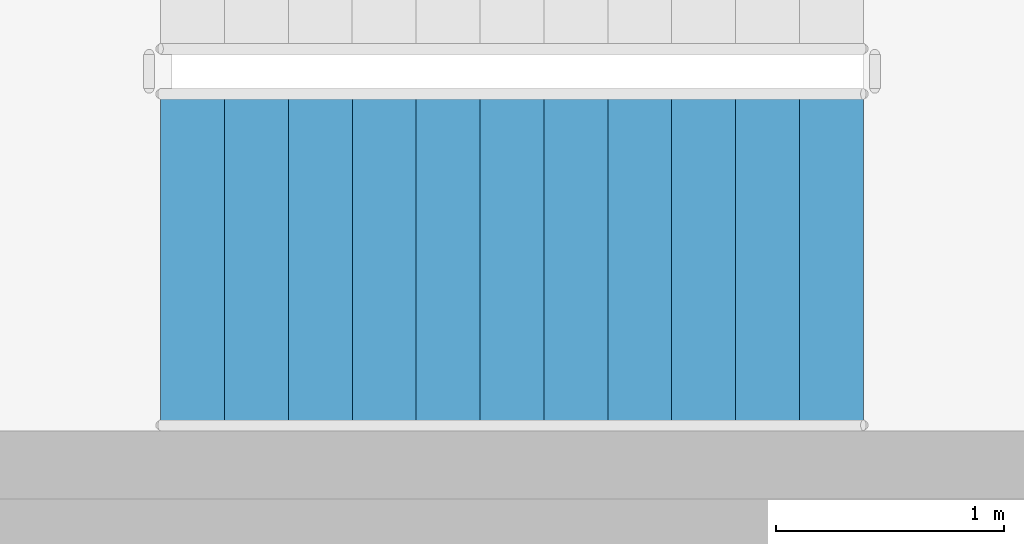
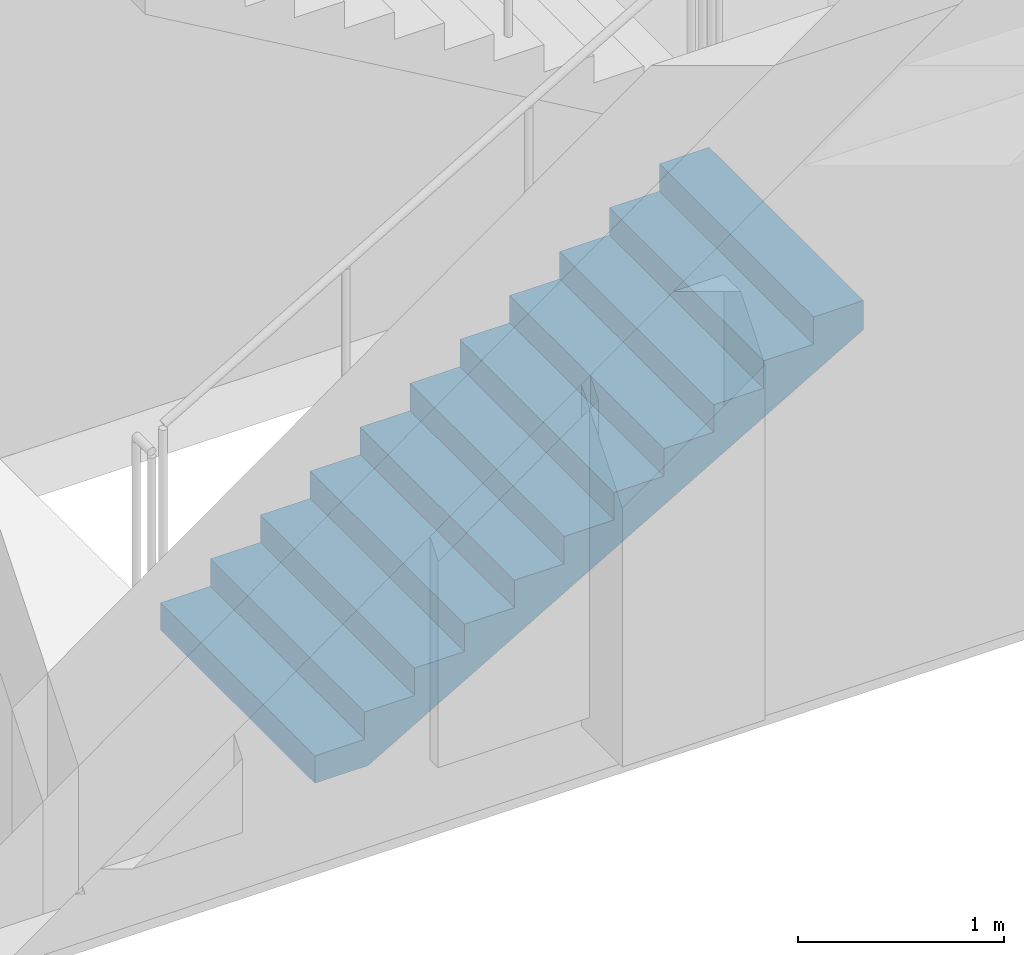
# One storey, part 27 of 32: 1 stair flight, 1 element without a shape of its own.
"""IFC4 building model written with IfcOpenShell, lengths in metres."""

import ifcopenshell
import ifcopenshell.guid

model = None  # the IFC model being written
_history = None  # IfcOwnerHistory: only IFC2X3 demands one
_inside = {}  # id of a spatial element -> (the spatial element, [elements in it])
_under = {}  # id of a project, library or spatial element -> (it, [spatial elements below it])
_declared = {}  # id of a project -> (the project, [libraries it declares])
_typed = {}  # id of a type object -> (the type object, [elements of that type])
_made_of = {}  # id of a material, layer set ... -> (it, [elements and type objects made of it])


def new_model(schema):
    """Start an empty IFC model of exactly this schema.

    Asked for "IFC4X3", IfcOpenShell would pick the latest addendum, in which some entities
    have other attributes; the version numbers below select the first issue.
    IFC2X3 requires an IfcOwnerHistory on every rooted entity: one is made here for all.
    """
    global model, _history
    if schema == "IFC4X3":
        model = ifcopenshell.file(schema_version=(4, 3, 0, 0))
    else:
        model = ifcopenshell.file(schema=schema)
    _inside.clear()
    _under.clear()
    _declared.clear()
    _typed.clear()
    _made_of.clear()
    _history = None
    if model.schema == "IFC2X3":
        org = make("IfcOrganization", Name="unknown")
        user = make(
            "IfcPersonAndOrganization",
            ThePerson=make("IfcPerson", FamilyName="unknown"),
            TheOrganization=org,
        )
        app = make(
            "IfcApplication",
            ApplicationDeveloper=org,
            Version="unknown",
            ApplicationFullName="unknown",
            ApplicationIdentifier="unknown",
        )
        _history = make(
            "IfcOwnerHistory",
            OwningUser=user,
            OwningApplication=app,
            ChangeAction="ADDED",
            CreationDate=0,
        )
    return model


def make(cls, **values):
    """One entity of the class cls with the attributes given. An attribute that is None is left unset."""
    return model.create_entity(
        cls, **{name: value for name, value in values.items() if value is not None}
    )


def rooted(cls, **values):
    """An entity with a GlobalId (a new one), such as an element, a storey or a relation."""
    return make(cls, GlobalId=ifcopenshell.guid.new(), OwnerHistory=_history, **values)


def si_unit(unit_type, name, prefix=None):
    """IfcSIUnit, for example si_unit("LENGTHUNIT", "METRE", prefix="MILLI")."""
    return make("IfcSIUnit", UnitType=unit_type, Prefix=prefix, Name=name)


def assignment(units):
    """IfcUnitAssignment: the units of a project."""
    return None if units is None else make("IfcUnitAssignment", Units=units)


def point(xyz):
    """IfcCartesianPoint."""
    return None if xyz is None else make("IfcCartesianPoint", Coordinates=xyz)


def direction(xyz):
    """IfcDirection."""
    return None if xyz is None else make("IfcDirection", DirectionRatios=xyz)


def frame(location, z_axis=None, x_axis=None):
    """IfcAxis2Placement3D, a coordinate frame: its origin and axes. An axis left out is left unset."""
    return make(
        "IfcAxis2Placement3D",
        Location=point(location),
        Axis=direction(z_axis),
        RefDirection=direction(x_axis),
    )


def origin():
    """The frame at (0, 0, 0) with its axes left unset."""
    return frame((0.0, 0.0, 0.0))


def place(relative_to, where):
    """IfcLocalPlacement: puts the frame where relative to a parent placement (None: the world)."""
    return make(
        "IfcLocalPlacement", PlacementRelTo=relative_to, RelativePlacement=where
    )


def context(
    kind, dimensions, precision=None, world=None, true_north=None, identifier=None
):
    """IfcGeometricRepresentationContext, for example the 3D "Model" context."""
    return make(
        "IfcGeometricRepresentationContext",
        ContextIdentifier=identifier,
        ContextType=kind,
        CoordinateSpaceDimension=dimensions,
        Precision=precision,
        WorldCoordinateSystem=world,
        TrueNorth=true_north,
    )


def subcontext(parent, identifier, kind, view, scale=None):
    """IfcGeometricRepresentationSubContext, for example "Body" below "Model"."""
    return make(
        "IfcGeometricRepresentationSubContext",
        ContextIdentifier=identifier,
        ContextType=kind,
        ParentContext=parent,
        TargetScale=scale,
        TargetView=view,
    )


def project(units=None, contexts=None):
    """IfcProject with its units and contexts."""
    return rooted(
        "IfcProject",
        Name="project",
        RepresentationContexts=contexts,
        UnitsInContext=assignment(units),
    )


def spatial(cls, under=None, at=None, **own):
    """A site, building, storey or space (cls), placed at a placement, below another one or the project."""
    s = rooted(cls, ObjectPlacement=at, **own)
    if under is not None:
        _under.setdefault(under.id(), (under, []))[1].append(s)
    return s


def point_list(points):
    """IfcCartesianPointList2D or 3D."""
    cls = (
        "IfcCartesianPointList2D" if len(points[0]) == 2 else "IfcCartesianPointList3D"
    )
    return make(cls, CoordList=points)


def triangles(points, corners, closed=None, point_numbers=None):
    """IfcTriangulatedFaceSet: each triangle names its three corners, points numbered from 1."""
    return make(
        "IfcTriangulatedFaceSet",
        Coordinates=point_list(points),
        Closed=closed,
        CoordIndex=corners,
        PnIndex=point_numbers,
    )


def shape(context_of_items, identifier, shape_type, items):
    """IfcShapeRepresentation: the items that make up one representation, for example the "Body"."""
    return make(
        "IfcShapeRepresentation",
        ContextOfItems=context_of_items,
        RepresentationIdentifier=identifier,
        RepresentationType=shape_type,
        Items=items,
    )


def material(Name=None, Category=None):
    """IfcMaterial."""
    return make("IfcMaterial", Name=Name, Category=Category)


def made_of(thing, what):
    """Note that an element or type object is made of a material, layer set ...; save() writes the relation."""
    if what is not None:
        _made_of.setdefault(what.id(), (what, []))[1].append(thing)
    return thing


def type_object(cls, material=None, **own):
    """A type object (cls), such as IfcWallType, which elements share."""
    return made_of(rooted(cls, **own), material)


def element(
    cls,
    number,
    at=None,
    inside=None,
    cuts=None,
    type_object=None,
    material=None,
    context=None,
    identifier="Body",
    shape_type=None,
    held_by="IfcProductDefinitionShape",
    body=None,
    shapes=None,
    **own,
):
    """One element of the class cls, such as IfcWall. Its Tag is "e" and its number.

    at: its placement. inside: the storey or other place that contains it. cuts: it is an
    opening in that element (IfcRelVoidsElement). A single representation is given by context,
    identifier, shape_type and body (its items); several are given by shapes. held_by: the class
    of the entity that holds the representations. save() writes the other relations.
    """
    e = rooted(cls, Tag="e%d" % number, ObjectPlacement=at, **own)
    if body is not None:
        shapes = [shape(context, identifier, shape_type, body)]
    if shapes is not None:
        e.Representation = make(held_by, Representations=shapes)
    if inside is not None:
        _inside.setdefault(inside.id(), (inside, []))[1].append(e)
    if cuts is not None:
        rooted(
            "IfcRelVoidsElement", RelatingBuildingElement=cuts, RelatedOpeningElement=e
        )
    if type_object is not None:
        _typed.setdefault(type_object.id(), (type_object, []))[1].append(e)
    return made_of(e, material)


def aggregate(whole, parts):
    """IfcRelAggregates: a whole, such as a stair, and the parts it consists of."""
    return rooted("IfcRelAggregates", RelatingObject=whole, RelatedObjects=parts)


def save(model, path):
    """Write the relations noted so far, then the file.

    IfcRelAggregates (storeys below a building ...), IfcRelContainedInSpatialStructure (elements
    in a storey), IfcRelDefinesByType, IfcRelAssociatesMaterial and IfcRelDeclares: one each for
    every whole, place, type object, material and project.
    """
    for whole, parts in _under.values():
        aggregate(whole, parts)
    for where, things in _inside.values():
        rooted(
            "IfcRelContainedInSpatialStructure",
            RelatedElements=things,
            RelatingStructure=where,
        )
    for kind, things in _typed.values():
        rooted("IfcRelDefinesByType", RelatedObjects=things, RelatingType=kind)
    for what, things in _made_of.values():
        rooted("IfcRelAssociatesMaterial", RelatedObjects=things, RelatingMaterial=what)
    for by, libraries in _declared.values():
        rooted("IfcRelDeclares", RelatingContext=by, RelatedDefinitions=libraries)
    model.write(path)


model = new_model("IFC4")

# Units and contexts
model_context = context("Model", 3, precision=1e-05, world=origin(), true_north=direction((0.0, 1.0)))
body_context = subcontext(model_context, "Body", "Model", "MODEL_VIEW")
ifc_project = project(units=[si_unit("LENGTHUNIT", "METRE"), si_unit("AREAUNIT", "SQUARE_METRE"), si_unit("VOLUMEUNIT", "CUBIC_METRE"), si_unit("PLANEANGLEUNIT", "RADIAN"), si_unit("MASSUNIT", "GRAM", prefix="KILO")], contexts=[model_context])

# Site, building, storey
site_placement = place(None, origin())
site = spatial("IfcSite", under=ifc_project, at=site_placement, CompositionType="ELEMENT")
building_placement = place(site_placement, origin())
building = spatial("IfcBuilding", under=site, at=building_placement, Name="Magnolia Steps Interchange", CompositionType="ELEMENT")
storey_placement = place(building_placement, frame((0.0, 0.0, 16.5)))
storey = spatial("IfcBuildingStorey", under=building, at=storey_placement, Name="L04", CompositionType="ELEMENT", Elevation=16.5)

# Stair, stair flight
ifc_material_1 = material(Name="Concrete C40", Category="concrete")
stair_type = type_object("IfcStairType", Name="Exit stair 1500", PredefinedType="HALF_TURN_STAIR", material=ifc_material_1)
stair_placement = place(storey_placement, origin())
stair = element("IfcStair", 1, at=stair_placement, inside=storey, type_object=stair_type, Name="L04 Stair 29", PredefinedType="HALF_TURN_STAIR")
ifc_material_2 = material(Name="Concrete C40", Category="concrete")
stair_flight_type = type_object("IfcStairFlightType", Name="Exit stair flight", PredefinedType="STRAIGHT", material=ifc_material_2)
stair_flight_placement = place(storey_placement, frame((112.85009765625, 97.60009765625, 0.0), z_axis=(0.0, 0.0, 1.0), x_axis=(1.0, 0.0, 0.0)))
stair_flight = element("IfcStairFlight", 2, at=stair_flight_placement, type_object=stair_flight_type, Name="Stair 29 flight 1", NumberOfRisers=12, NumberOfTreads=11, PredefinedType="STRAIGHT", RiserHeight=0.1625, TreadLength=0.28, context=body_context, shape_type="Tessellation", body=[
    triangles([(0.0, -0.75, 0.0), (0.298583984375, -0.75, 0.0), (3.080078125, -0.75, 1.6142578125), (3.080078125, -0.75, 1.78759765625), (2.800048828125, -0.75, 1.78759765625), (2.800048828125, -0.75, 1.625), (2.52001953125, -0.75, 1.625), (2.52001953125, -0.75, 1.46240234375), (2.239990234375, -0.75, 1.46240234375), (2.239990234375, -0.75, 1.300048828125), (1.9599609375, -0.75, 1.300048828125), (1.9599609375, -0.75, 1.137451171875), (1.679931640625, -0.75, 1.137451171875), (1.679931640625, -0.75, 0.97509765625), (1.39990234375, -0.75, 0.97509765625), (1.39990234375, -0.75, 0.8125), (1.1201171875, -0.75, 0.8125), (1.1201171875, -0.75, 0.64990234375), (0.840087890625, -0.75, 0.64990234375), (0.840087890625, -0.75, 0.487548828125), (0.56005859375, -0.75, 0.487548828125), (0.56005859375, -0.75, 0.324951171875), (0.280029296875, -0.75, 0.324951171875), (0.280029296875, -0.75, 0.16259765625), (0.0, -0.75, 0.16259765625), (0.0, 0.75, 0.0), (0.298583984375, 0.75, 0.0), (3.080078125, 0.75, 1.6142578125), (3.080078125, 0.75, 1.78759765625), (2.800048828125, 0.75, 1.78759765625), (2.800048828125, 0.75, 1.625), (2.52001953125, 0.75, 1.625), (2.52001953125, 0.75, 1.46240234375), (2.239990234375, 0.75, 1.46240234375), (2.239990234375, 0.75, 1.300048828125), (1.9599609375, 0.75, 1.300048828125), (1.9599609375, 0.75, 1.137451171875), (1.679931640625, 0.75, 1.137451171875), (1.679931640625, 0.75, 0.97509765625), (1.39990234375, 0.75, 0.97509765625), (1.39990234375, 0.75, 0.8125), (1.1201171875, 0.75, 0.8125), (1.1201171875, 0.75, 0.64990234375), (0.840087890625, 0.75, 0.64990234375), (0.840087890625, 0.75, 0.487548828125), (0.56005859375, 0.75, 0.487548828125), (0.56005859375, 0.75, 0.324951171875), (0.280029296875, 0.75, 0.324951171875), (0.280029296875, 0.75, 0.16259765625), (0.0, 0.75, 0.16259765625), (0.0, 0.0, 0.0), (0.0, 0.0, 0.0406494140625), (0.0, 0.0, 0.081298828125), (0.0, 0.0, 0.1219482421875), (0.0, 0.0, 0.16259765625), (0.0, -0.05, 0.0), (0.0, -0.05, 0.16259765625), (0.0, 0.05, 0.0), (0.0, 0.05, 0.16259765625), (0.046671549479166664, 0.0, 0.16259765625), (0.09334309895833333, 0.0, 0.16259765625), (0.1400146484375, 0.0, 0.16259765625), (0.18668619791666666, 0.0, 0.16259765625), (0.23335774739583334, 0.0, 0.16259765625), (0.280029296875, 0.0, 0.16259765625), (0.280029296875, -0.05, 0.16259765625), (0.280029296875, 0.05, 0.16259765625), (0.280029296875, 0.0, 0.20318603515625), (0.280029296875, 0.0, 0.2437744140625), (0.280029296875, 0.0, 0.28436279296875), (0.280029296875, 0.0, 0.324951171875), (0.280029296875, -0.05, 0.324951171875), (0.280029296875, 0.05, 0.324951171875), (0.3267008463541667, 0.0, 0.324951171875), (0.3733723958333333, 0.0, 0.324951171875), (0.4200439453125, 0.0, 0.324951171875), (0.46671549479166663, 0.0, 0.324951171875), (0.5133870442708334, 0.0, 0.324951171875), (0.56005859375, 0.0, 0.324951171875), (0.56005859375, -0.05, 0.324951171875), (0.56005859375, 0.05, 0.324951171875), (0.56005859375, 0.0, 0.3656005859375), (0.56005859375, 0.0, 0.40625), (0.56005859375, 0.0, 0.4468994140625), (0.56005859375, 0.0, 0.487548828125), (0.56005859375, -0.05, 0.487548828125), (0.56005859375, 0.05, 0.487548828125), (0.6067301432291666, 0.0, 0.487548828125), (0.6534016927083334, 0.0, 0.487548828125), (0.7000732421875, 0.0, 0.487548828125), (0.7467447916666666, 0.0, 0.487548828125), (0.7934163411458334, 0.0, 0.487548828125), (0.840087890625, 0.0, 0.487548828125), (0.840087890625, -0.05, 0.487548828125), (0.840087890625, 0.05, 0.487548828125), (0.840087890625, 0.0, 0.52813720703125), (0.840087890625, 0.0, 0.5687255859375), (0.840087890625, 0.0, 0.60931396484375), (0.840087890625, 0.0, 0.64990234375), (0.840087890625, -0.05, 0.64990234375), (0.840087890625, 0.05, 0.64990234375), (0.8867594401041666, 0.0, 0.64990234375), (0.9334309895833334, 0.0, 0.64990234375), (0.9801025390625, 0.0, 0.64990234375), (1.0267740885416667, 0.0, 0.64990234375), (1.0734456380208333, 0.0, 0.64990234375), (1.1201171875, 0.0, 0.64990234375), (1.1201171875, -0.05, 0.64990234375), (1.1201171875, 0.05, 0.64990234375), (1.1201171875, 0.0, 0.6905517578125), (1.1201171875, 0.0, 0.731201171875), (1.1201171875, 0.0, 0.7718505859375), (1.1201171875, 0.0, 0.8125), (1.1201171875, -0.05, 0.8125), (1.1201171875, 0.05, 0.8125), (1.1900634765625, 0.0, 0.8125), (1.260009765625, 0.0, 0.8125), (1.3299560546875, 0.0, 0.8125), (1.39990234375, 0.0, 0.8125), (1.39990234375, -0.05, 0.8125), (1.39990234375, 0.05, 0.8125), (1.39990234375, 0.0, 0.8531494140625), (1.39990234375, 0.0, 0.893798828125), (1.39990234375, 0.0, 0.9344482421875), (1.39990234375, 0.0, 0.97509765625), (1.39990234375, -0.05, 0.97509765625), (1.39990234375, 0.05, 0.97509765625), (1.4465738932291667, 0.0, 0.97509765625), (1.4932454427083333, 0.0, 0.97509765625), (1.5399169921875, 0.0, 0.97509765625), (1.5865885416666667, 0.0, 0.97509765625), (1.6332600911458333, 0.0, 0.97509765625), (1.679931640625, 0.0, 0.97509765625), (1.679931640625, -0.05, 0.97509765625), (1.679931640625, 0.05, 0.97509765625), (1.679931640625, 0.0, 1.01568603515625), (1.679931640625, 0.0, 1.0562744140625), (1.679931640625, 0.0, 1.09686279296875), (1.679931640625, 0.0, 1.137451171875), (1.679931640625, -0.05, 1.137451171875), (1.679931640625, 0.05, 1.137451171875), (1.7266031901041667, 0.0, 1.137451171875), (1.7732747395833333, 0.0, 1.137451171875), (1.8199462890625, 0.0, 1.137451171875), (1.8666178385416667, 0.0, 1.137451171875), (1.9132893880208333, 0.0, 1.137451171875), (1.9599609375, 0.0, 1.137451171875), (1.9599609375, -0.05, 1.137451171875), (1.9599609375, 0.05, 1.137451171875), (1.9599609375, 0.0, 1.1781005859375), (1.9599609375, 0.0, 1.21875), (1.9599609375, 0.0, 1.2593994140625), (1.9599609375, 0.0, 1.300048828125), (1.9599609375, -0.05, 1.300048828125), (1.9599609375, 0.05, 1.300048828125), (2.0066324869791665, 0.0, 1.300048828125), (2.0533040364583335, 0.0, 1.300048828125), (2.0999755859375, 0.0, 1.300048828125), (2.1466471354166665, 0.0, 1.300048828125), (2.1933186848958335, 0.0, 1.300048828125), (2.239990234375, 0.0, 1.300048828125), (2.239990234375, -0.05, 1.300048828125), (2.239990234375, 0.05, 1.300048828125), (2.239990234375, 0.0, 1.34063720703125), (2.239990234375, 0.0, 1.3812255859375), (2.239990234375, 0.0, 1.42181396484375), (2.239990234375, 0.0, 1.46240234375), (2.239990234375, -0.05, 1.46240234375), (2.239990234375, 0.05, 1.46240234375), (2.2866617838541665, 0.0, 1.46240234375), (2.3333333333333335, 0.0, 1.46240234375), (2.3800048828125, 0.0, 1.46240234375), (2.4266764322916665, 0.0, 1.46240234375), (2.4733479817708335, 0.0, 1.46240234375), (2.52001953125, 0.0, 1.46240234375), (2.52001953125, -0.05, 1.46240234375), (2.52001953125, 0.05, 1.46240234375), (2.52001953125, 0.0, 1.5030517578125), (2.52001953125, 0.0, 1.543701171875), (2.52001953125, 0.0, 1.5843505859375), (2.52001953125, 0.0, 1.625), (2.52001953125, -0.05, 1.625), (2.52001953125, 0.05, 1.625), (2.5666910807291665, 0.0, 1.625), (2.6133626302083335, 0.0, 1.625), (2.6600341796875, 0.0, 1.625), (2.7067057291666665, 0.0, 1.625), (2.7533772786458335, 0.0, 1.625), (2.800048828125, 0.0, 1.625), (2.800048828125, -0.05, 1.625), (2.800048828125, 0.05, 1.625), (2.800048828125, 0.0, 1.6656494140625), (2.800048828125, 0.0, 1.706298828125), (2.800048828125, 0.0, 1.7469482421875), (2.800048828125, 0.0, 1.78759765625), (2.800048828125, -0.05, 1.78759765625), (2.800048828125, 0.05, 1.78759765625), (2.8467203776041665, 0.0, 1.78759765625), (2.8933919270833335, 0.0, 1.78759765625), (2.9400634765625, 0.0, 1.78759765625), (2.9867350260416665, 0.0, 1.78759765625), (3.0334065755208335, 0.0, 1.78759765625), (3.080078125, 0.0, 1.78759765625), (3.080078125, -0.05, 1.78759765625), (3.080078125, 0.05, 1.78759765625), (3.080078125, 0.0, 1.7442626953125), (3.080078125, 0.0, 1.700927734375), (3.080078125, 0.0, 1.6575927734375), (3.080078125, 0.0, 1.6142578125), (3.080078125, -0.05, 1.6142578125), (3.080078125, 0.05, 1.6142578125), (3.0196108610733696, 0.0, 1.5791652513586956), (2.9591435971467392, 0.0, 1.5440726902173914), (2.898676333220109, 0.0, 1.508980129076087), (2.8382090692934785, 0.0, 1.4738875679347827), (2.7777418053668477, 0.0, 1.4387950067934783), (2.7172745414402173, 0.0, 1.4037024456521738), (2.656807277513587, 0.0, 1.3686098845108696), (2.5963400135869565, 0.0, 1.3335173233695652), (2.535872749660326, 0.0, 1.2984247622282608), (2.475405485733696, 0.0, 1.2633322010869565), (2.4149382218070654, 0.0, 1.228239639945652), (2.3544709578804346, 0.0, 1.193147078804348), (2.294003693953804, 0.0, 1.1580545176630435), (2.233536430027174, 0.0, 1.1229619565217392), (2.1730691661005435, 0.0, 1.0878693953804348), (2.112601902173913, 0.0, 1.0527768342391304), (2.0521346382472827, 0.0, 1.0176842730978262), (1.991667374320652, 0.0, 0.9825917119565217), (1.9312001103940217, 0.0, 0.9474991508152174), (1.8707328464673914, 0.0, 0.9124065896739131), (1.810265582540761, 0.0, 0.8773140285326086), (1.7497983186141304, 0.0, 0.8422214673913043), (1.6893310546875, 0.0, 0.80712890625), (1.6288637907608696, 0.0, 0.7720363451086957), (1.568396526834239, 0.0, 0.7369437839673914), (1.5079292629076086, 0.0, 0.7018512228260869), (1.4474619989809783, 0.0, 0.6667586616847826), (1.386994735054348, 0.0, 0.6316661005434783), (1.3265274711277173, 0.0, 0.5965735394021738), (1.266060207201087, 0.0, 0.5614809782608696), (1.2055929432744565, 0.0, 0.5263884171195652), (1.1451256793478262, 0.0, 0.491295855978261), (1.0846584154211956, 0.0, 0.45620329483695654), (1.0241911514945654, 0.0, 0.4211107336956521), (0.9637238875679346, 0.0, 0.3860181725543479), (0.9032566236413042, 0.0, 0.35092561141304346), (0.8427893597146738, 0.0, 0.315833050271739), (0.7823220957880435, 0.0, 0.2807404891304348), (0.7218548318614131, 0.0, 0.24564792798913038), (0.6613875679347827, 0.0, 0.21055536684782616), (0.6009203040081523, 0.0, 0.17546280570652173), (0.540453040081522, 0.0, 0.1403702445652173), (0.47998577615489113, 0.0, 0.10527768342391308), (0.41951851222826075, 0.0, 0.07018512228260865), (0.3590512483016304, 0.0, 0.035092561141304435), (0.298583984375, 0.0, 0.0), (0.298583984375, -0.05, 0.0), (0.298583984375, 0.05, 0.0), (0.24881998697916666, 0.0, 0.0), (0.19905598958333331, 0.0, 0.0), (0.1492919921875, 0.0, 0.0), (0.09952799479166666, 0.0, 0.0), (0.04976399739583334, 0.0, 0.0)], [[1, 2, 3], [3, 4, 5], [3, 5, 6], [3, 6, 7], [3, 7, 8], [8, 9, 10], [3, 8, 10], [10, 11, 12], [3, 10, 12], [12, 13, 14], [3, 12, 14], [14, 15, 16], [3, 14, 16], [16, 17, 18], [3, 16, 18], [18, 19, 20], [3, 18, 20], [20, 21, 22], [3, 20, 22], [1, 3, 22], [22, 23, 24], [1, 22, 24], [24, 25, 1], [26, 28, 27], [28, 30, 29], [28, 31, 30], [28, 32, 31], [28, 33, 32], [33, 35, 34], [28, 35, 33], [35, 37, 36], [28, 37, 35], [37, 39, 38], [28, 39, 37], [39, 41, 40], [28, 41, 39], [41, 43, 42], [28, 43, 41], [43, 45, 44], [28, 45, 43], [45, 47, 46], [28, 47, 45], [26, 47, 28], [47, 49, 48], [26, 49, 47], [49, 26, 50], [1, 25, 57], [1, 57, 56], [56, 52, 51], [56, 53, 52], [56, 57, 53], [57, 54, 53], [57, 55, 54], [26, 59, 50], [26, 58, 59], [58, 51, 52], [58, 52, 53], [58, 53, 59], [59, 53, 54], [59, 54, 55], [25, 24, 66], [25, 66, 57], [57, 60, 55], [57, 61, 60], [57, 62, 61], [57, 66, 62], [66, 63, 62], [66, 64, 63], [66, 65, 64], [50, 67, 49], [50, 59, 67], [59, 55, 60], [59, 60, 61], [59, 61, 62], [59, 62, 67], [67, 62, 63], [67, 63, 64], [67, 64, 65], [24, 23, 72], [24, 72, 66], [66, 68, 65], [66, 69, 68], [66, 72, 69], [72, 70, 69], [72, 71, 70], [49, 73, 48], [49, 67, 73], [67, 65, 68], [67, 68, 69], [67, 69, 73], [73, 69, 70], [73, 70, 71], [23, 22, 80], [23, 80, 72], [72, 74, 71], [72, 75, 74], [72, 76, 75], [72, 80, 76], [80, 77, 76], [80, 78, 77], [80, 79, 78], [48, 81, 47], [48, 73, 81], [73, 71, 74], [73, 74, 75], [73, 75, 76], [73, 76, 81], [81, 76, 77], [81, 77, 78], [81, 78, 79], [22, 21, 86], [22, 86, 80], [80, 82, 79], [80, 83, 82], [80, 86, 83], [86, 84, 83], [86, 85, 84], [47, 87, 46], [47, 81, 87], [81, 79, 82], [81, 82, 83], [81, 83, 87], [87, 83, 84], [87, 84, 85], [21, 20, 94], [21, 94, 86], [86, 88, 85], [86, 89, 88], [86, 90, 89], [86, 94, 90], [94, 91, 90], [94, 92, 91], [94, 93, 92], [46, 95, 45], [46, 87, 95], [87, 85, 88], [87, 88, 89], [87, 89, 90], [87, 90, 95], [95, 90, 91], [95, 91, 92], [95, 92, 93], [20, 19, 100], [20, 100, 94], [94, 96, 93], [94, 97, 96], [94, 100, 97], [100, 98, 97], [100, 99, 98], [45, 101, 44], [45, 95, 101], [95, 93, 96], [95, 96, 97], [95, 97, 101], [101, 97, 98], [101, 98, 99], [19, 18, 108], [19, 108, 100], [100, 102, 99], [100, 103, 102], [100, 104, 103], [100, 108, 104], [108, 105, 104], [108, 106, 105], [108, 107, 106], [44, 109, 43], [44, 101, 109], [101, 99, 102], [101, 102, 103], [101, 103, 104], [101, 104, 109], [109, 104, 105], [109, 105, 106], [109, 106, 107], [18, 17, 114], [18, 114, 108], [108, 110, 107], [108, 111, 110], [108, 114, 111], [114, 112, 111], [114, 113, 112], [43, 115, 42], [43, 109, 115], [109, 107, 110], [109, 110, 111], [109, 111, 115], [115, 111, 112], [115, 112, 113], [17, 16, 120], [17, 120, 114], [114, 116, 113], [114, 117, 116], [114, 120, 117], [120, 118, 117], [120, 119, 118], [42, 121, 41], [42, 115, 121], [115, 113, 116], [115, 116, 117], [115, 117, 121], [121, 117, 118], [121, 118, 119], [16, 15, 126], [16, 126, 120], [120, 122, 119], [120, 123, 122], [120, 126, 123], [126, 124, 123], [126, 125, 124], [41, 127, 40], [41, 121, 127], [121, 119, 122], [121, 122, 123], [121, 123, 127], [127, 123, 124], [127, 124, 125], [15, 14, 134], [15, 134, 126], [126, 128, 125], [126, 129, 128], [126, 130, 129], [126, 134, 130], [134, 131, 130], [134, 132, 131], [134, 133, 132], [40, 135, 39], [40, 127, 135], [127, 125, 128], [127, 128, 129], [127, 129, 130], [127, 130, 135], [135, 130, 131], [135, 131, 132], [135, 132, 133], [14, 13, 140], [14, 140, 134], [134, 136, 133], [134, 137, 136], [134, 140, 137], [140, 138, 137], [140, 139, 138], [39, 141, 38], [39, 135, 141], [135, 133, 136], [135, 136, 137], [135, 137, 141], [141, 137, 138], [141, 138, 139], [13, 12, 148], [13, 148, 140], [140, 142, 139], [140, 143, 142], [140, 144, 143], [140, 148, 144], [148, 145, 144], [148, 146, 145], [148, 147, 146], [38, 149, 37], [38, 141, 149], [141, 139, 142], [141, 142, 143], [141, 143, 144], [141, 144, 149], [149, 144, 145], [149, 145, 146], [149, 146, 147], [12, 11, 154], [12, 154, 148], [148, 150, 147], [148, 151, 150], [148, 154, 151], [154, 152, 151], [154, 153, 152], [37, 155, 36], [37, 149, 155], [149, 147, 150], [149, 150, 151], [149, 151, 155], [155, 151, 152], [155, 152, 153], [11, 10, 162], [11, 162, 154], [154, 156, 153], [154, 157, 156], [154, 158, 157], [154, 162, 158], [162, 159, 158], [162, 160, 159], [162, 161, 160], [36, 163, 35], [36, 155, 163], [155, 153, 156], [155, 156, 157], [155, 157, 158], [155, 158, 163], [163, 158, 159], [163, 159, 160], [163, 160, 161], [10, 9, 168], [10, 168, 162], [162, 164, 161], [162, 165, 164], [162, 168, 165], [168, 166, 165], [168, 167, 166], [35, 169, 34], [35, 163, 169], [163, 161, 164], [163, 164, 165], [163, 165, 169], [169, 165, 166], [169, 166, 167], [9, 8, 176], [9, 176, 168], [168, 170, 167], [168, 171, 170], [168, 172, 171], [168, 176, 172], [176, 173, 172], [176, 174, 173], [176, 175, 174], [34, 177, 33], [34, 169, 177], [169, 167, 170], [169, 170, 171], [169, 171, 172], [169, 172, 177], [177, 172, 173], [177, 173, 174], [177, 174, 175], [8, 7, 182], [8, 182, 176], [176, 178, 175], [176, 179, 178], [176, 182, 179], [182, 180, 179], [182, 181, 180], [33, 183, 32], [33, 177, 183], [177, 175, 178], [177, 178, 179], [177, 179, 183], [183, 179, 180], [183, 180, 181], [7, 6, 190], [7, 190, 182], [182, 184, 181], [182, 185, 184], [182, 186, 185], [182, 190, 186], [190, 187, 186], [190, 188, 187], [190, 189, 188], [32, 191, 31], [32, 183, 191], [183, 181, 184], [183, 184, 185], [183, 185, 186], [183, 186, 191], [191, 186, 187], [191, 187, 188], [191, 188, 189], [6, 5, 196], [6, 196, 190], [190, 192, 189], [190, 193, 192], [190, 196, 193], [196, 194, 193], [196, 195, 194], [31, 197, 30], [31, 191, 197], [191, 189, 192], [191, 192, 193], [191, 193, 197], [197, 193, 194], [197, 194, 195], [5, 4, 204], [5, 204, 196], [196, 198, 195], [196, 199, 198], [196, 200, 199], [196, 204, 200], [204, 201, 200], [204, 202, 201], [204, 203, 202], [30, 205, 29], [30, 197, 205], [197, 195, 198], [197, 198, 199], [197, 199, 200], [197, 200, 205], [205, 200, 201], [205, 201, 202], [205, 202, 203], [4, 3, 210], [4, 210, 204], [204, 206, 203], [204, 207, 206], [204, 210, 207], [210, 208, 207], [210, 209, 208], [29, 211, 28], [29, 205, 211], [205, 203, 206], [205, 206, 207], [205, 207, 211], [211, 207, 208], [211, 208, 209], [3, 2, 258], [3, 258, 210], [210, 212, 209], [210, 213, 212], [210, 214, 213], [210, 215, 214], [210, 216, 215], [210, 217, 216], [210, 218, 217], [210, 219, 218], [210, 220, 219], [210, 221, 220], [210, 222, 221], [210, 223, 222], [210, 224, 223], [210, 225, 224], [210, 226, 225], [210, 227, 226], [210, 228, 227], [210, 229, 228], [210, 230, 229], [210, 231, 230], [210, 232, 231], [210, 233, 232], [210, 234, 233], [210, 258, 234], [258, 235, 234], [258, 236, 235], [258, 237, 236], [258, 238, 237], [258, 239, 238], [258, 240, 239], [258, 241, 240], [258, 242, 241], [258, 243, 242], [258, 244, 243], [258, 245, 244], [258, 246, 245], [258, 247, 246], [258, 248, 247], [258, 249, 248], [258, 250, 249], [258, 251, 250], [258, 252, 251], [258, 253, 252], [258, 254, 253], [258, 255, 254], [258, 256, 255], [258, 257, 256], [28, 259, 27], [28, 211, 259], [211, 209, 212], [211, 212, 213], [211, 213, 214], [211, 214, 215], [211, 215, 216], [211, 216, 217], [211, 217, 218], [211, 218, 219], [211, 219, 220], [211, 220, 221], [211, 221, 222], [211, 222, 223], [211, 223, 224], [211, 224, 225], [211, 225, 226], [211, 226, 227], [211, 227, 228], [211, 228, 229], [211, 229, 230], [211, 230, 231], [211, 231, 232], [211, 232, 233], [211, 233, 234], [211, 234, 259], [259, 234, 235], [259, 235, 236], [259, 236, 237], [259, 237, 238], [259, 238, 239], [259, 239, 240], [259, 240, 241], [259, 241, 242], [259, 242, 243], [259, 243, 244], [259, 244, 245], [259, 245, 246], [259, 246, 247], [259, 247, 248], [259, 248, 249], [259, 249, 250], [259, 250, 251], [259, 251, 252], [259, 252, 253], [259, 253, 254], [259, 254, 255], [259, 255, 256], [259, 256, 257], [2, 1, 56], [2, 56, 258], [258, 260, 257], [258, 261, 260], [258, 262, 261], [258, 56, 262], [56, 263, 262], [56, 264, 263], [56, 51, 264], [27, 58, 26], [27, 259, 58], [259, 257, 260], [259, 260, 261], [259, 261, 262], [259, 262, 58], [58, 262, 263], [58, 263, 264], [58, 264, 51]], closed=True),
])
aggregate(stair, [stair_flight])

save(model, "model.ifc")
